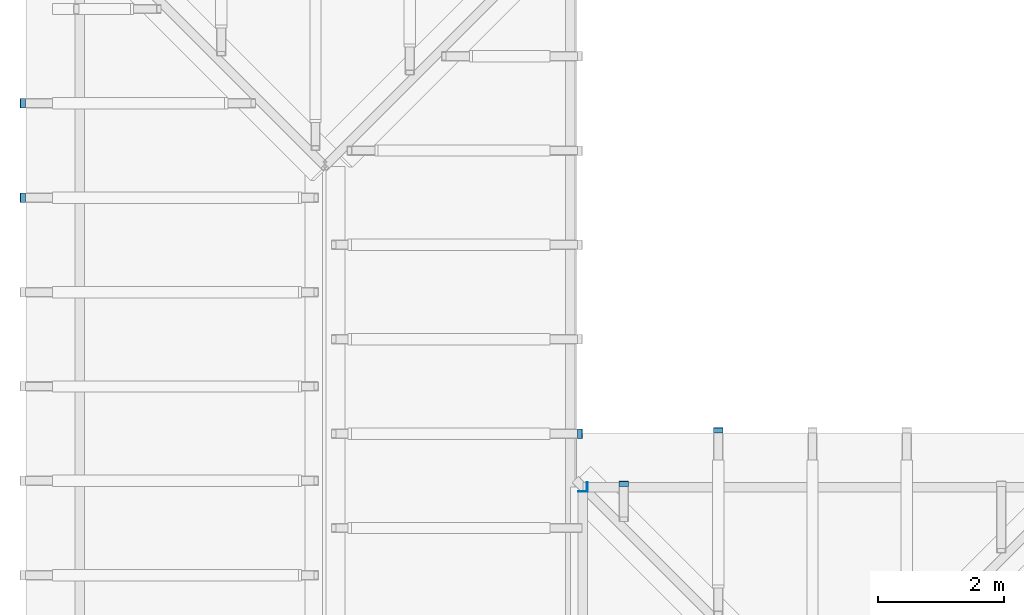
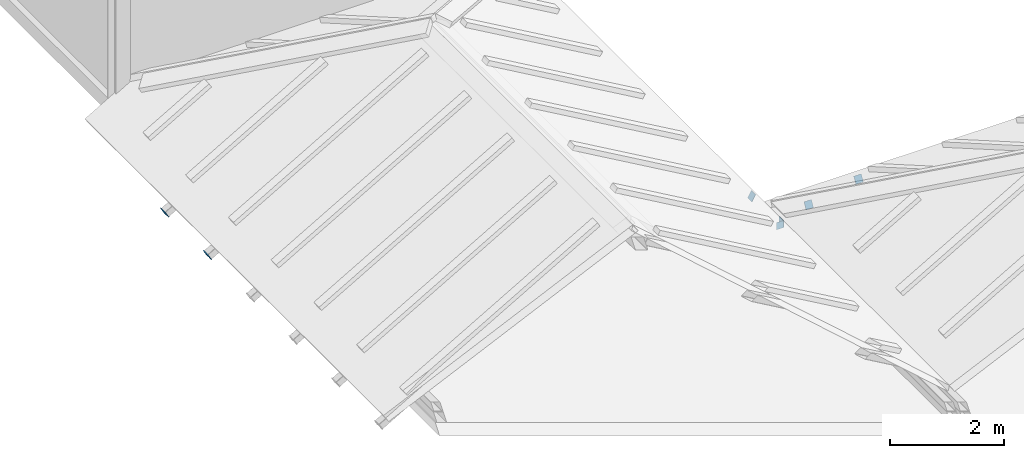
# One storey, part 78 of 111: 7 discrete accessories.
"""IFC4 building model written with IfcOpenShell, lengths in metres."""

from ifc_helpers import new_model, si_unit, direction, frame, origin, origin_2d, place, context, subcontext, project, spatial, rectangle, extrude, material, material_profile, profile_set, type_object, element, save


model = new_model("IFC4")

# Units and contexts
model_context = context("Model", 3, precision=1e-05, world=origin(), true_north=direction((0.0, 1.0)))
body_context = subcontext(model_context, "Body", "Model", "MODEL_VIEW")
ifc_project = project(units=[si_unit("LENGTHUNIT", "METRE"), si_unit("AREAUNIT", "SQUARE_METRE"), si_unit("VOLUMEUNIT", "CUBIC_METRE"), si_unit("PLANEANGLEUNIT", "RADIAN"), si_unit("MASSUNIT", "GRAM", prefix="KILO")], contexts=[model_context])

# Site, building, storey
site_placement = place(None, origin())
site = spatial("IfcSite", under=ifc_project, at=site_placement, CompositionType="ELEMENT")
building_placement = place(site_placement, origin())
building = spatial("IfcBuilding", under=site, at=building_placement, Name="Kallimachos Central Library", CompositionType="ELEMENT")
storey_placement = place(building_placement, frame((0.0, 0.0, 14.39990234375)))
storey = spatial("IfcBuildingStorey", under=building, at=storey_placement, Name="L03", CompositionType="ELEMENT", Elevation=14.39990234375)

# Discrete accessories
ifc_material = material(Name="Steel S355J2", Category="steel")
ifc_material_profile = material_profile(ifc_material, rectangle(XDim=0.14990234375, YDim=0.14990234375, at=origin_2d()), Name="End cap plate 10, 150x150")
ifc_profile_set = profile_set([ifc_material_profile], Name="Steel S355J2")
discrete_accessory_type = type_object("IfcDiscreteAccessoryType", Name="End cap plate 10, 150x150", PredefinedType="BRACKET", material=ifc_profile_set)
for number, where, z_axis, x_axis, name in (
    (1, (5.19140625, 22.5, -0.137939453125), (0.857492925713, 0.0, 0.514495755428), (0.0, 1.0, 0.0), "End cap plate"),
    (2, (5.19140625, 24.0, -0.137939453125), (0.857492925713, 0.0, 0.514495755428), (0.0, 1.0, 0.0), "End cap plate"),
):
    element("IfcDiscreteAccessory", number, at=place(storey_placement, frame(where, z_axis=z_axis, x_axis=x_axis)), inside=storey, type_object=discrete_accessory_type, Name=name, PredefinedType="BRACKET", context=body_context, shape_type="SweptSolid", body=[
        extrude(rectangle(XDim=0.14990234375, YDim=0.14990234375, at=origin_2d()), origin(), (0.0, 0.0, 1.0), 0.010009765625),
    ])
discrete_accessory_1_placement = place(storey_placement, frame((14.05859375, 18.75, 0.295166015625), z_axis=(-0.868243142124, 0.0, 0.496138938357), x_axis=(0.0, -1.0, 0.0)))
element("IfcDiscreteAccessory", 3, at=discrete_accessory_1_placement, inside=storey, type_object=discrete_accessory_type, Name="End cap plate", PredefinedType="BRACKET", context=body_context, shape_type="SweptSolid", body=[
    extrude(rectangle(XDim=0.14990234375, YDim=0.14990234375, at=origin_2d()), origin(), (0.0, 0.0, 1.0), 0.009765625),
])
for number, where, z_axis, x_axis, name in (
    (4, (14.1650390625, 17.89990234375, 0.22509765625), (1.0, 0.0, 0.0), (0.0, 1.0, 0.0), "End cap plate"),
    (5, (14.10009765625, 17.824951171875, 0.22509765625), (0.0, 1.0, 0.0), (-1.0, 0.0, 0.0), "End cap plate"),
):
    element("IfcDiscreteAccessory", number, at=place(storey_placement, frame(where, z_axis=z_axis, x_axis=x_axis)), inside=storey, type_object=discrete_accessory_type, Name=name, PredefinedType="BRACKET", context=body_context, shape_type="SweptSolid", body=[
        extrude(rectangle(XDim=0.14990234375, YDim=0.14990234375, at=origin_2d()), origin(), (0.0, 0.0, 1.0), 0.010009765625),
    ])
discrete_accessory_2_placement = place(storey_placement, frame((14.75, 17.958740234375, 0.352783203125), z_axis=(0.0, -0.863778900898, 0.503871025524), x_axis=(1.0, 0.0, 0.0)))
element("IfcDiscreteAccessory", 6, at=discrete_accessory_2_placement, inside=storey, type_object=discrete_accessory_type, Name="End cap plate", PredefinedType="BRACKET", context=body_context, shape_type="SweptSolid", body=[
    extrude(rectangle(XDim=0.14990234375, YDim=0.14990234375, at=origin_2d()), origin(), (0.0, 0.0, 1.0), 0.01025390625),
])
discrete_accessory_3_placement = place(storey_placement, frame((16.25, 18.80859375, -0.137939453125), z_axis=(0.0, -0.857492925713, 0.514495755428), x_axis=(1.0, 0.0, 0.0)))
element("IfcDiscreteAccessory", 7, at=discrete_accessory_3_placement, inside=storey, type_object=discrete_accessory_type, Name="End cap plate", PredefinedType="BRACKET", context=body_context, shape_type="SweptSolid", body=[
    extrude(rectangle(XDim=0.14990234375, YDim=0.14990234375, at=origin_2d()), origin(), (0.0, 0.0, 1.0), 0.010009765625),
])

save(model, "model.ifc")
